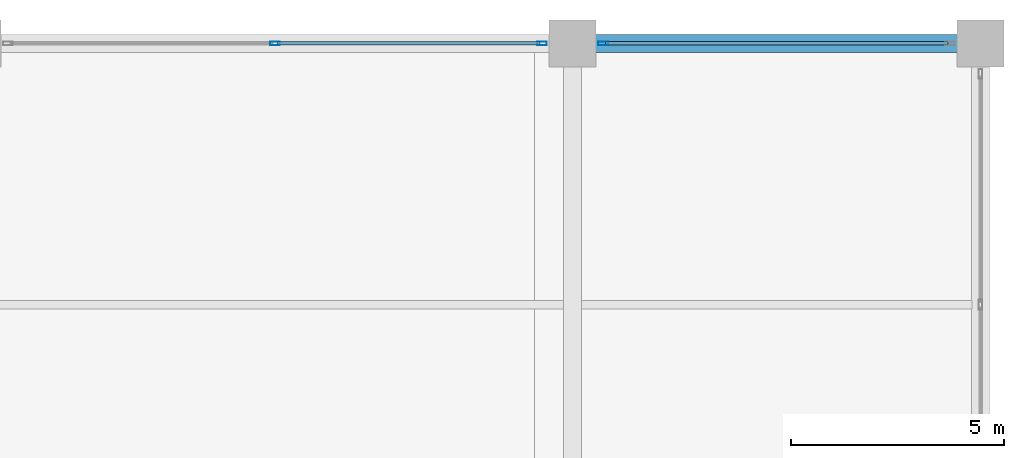
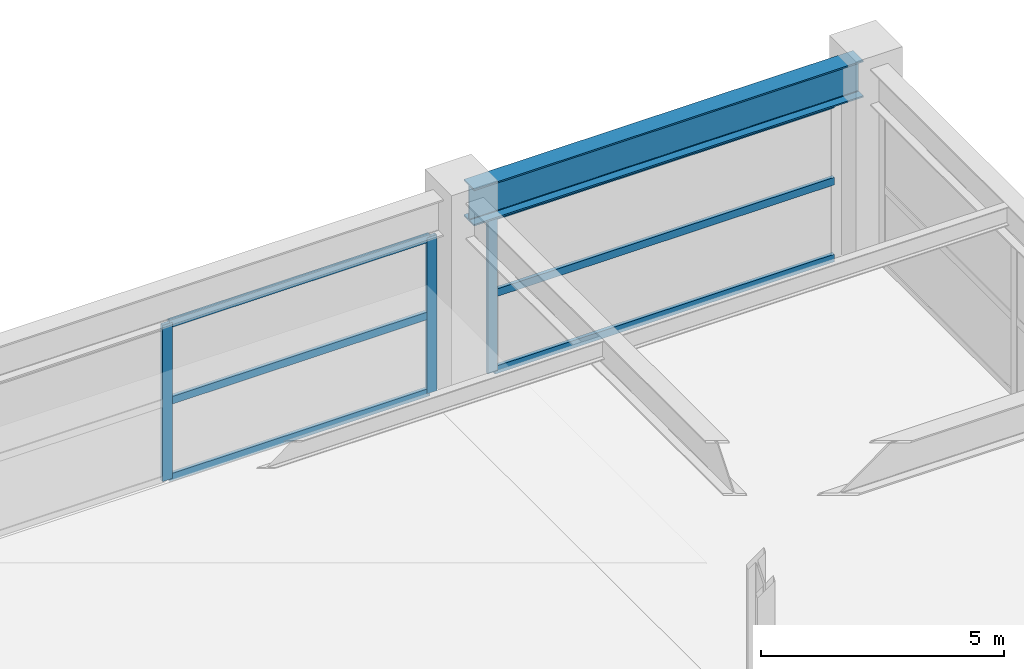
# One storey, part 33 of 45: 9 members, 1 beam, 2 elements without a shape of their own.
"""IFC4 building model written with IfcOpenShell, lengths in metres."""

import ifcopenshell
import ifcopenshell.guid

model = None  # the IFC model being written
_history = None  # IfcOwnerHistory: only IFC2X3 demands one
_inside = {}  # id of a spatial element -> (the spatial element, [elements in it])
_under = {}  # id of a project, library or spatial element -> (it, [spatial elements below it])
_declared = {}  # id of a project -> (the project, [libraries it declares])
_typed = {}  # id of a type object -> (the type object, [elements of that type])
_made_of = {}  # id of a material, layer set ... -> (it, [elements and type objects made of it])


def new_model(schema):
    """Start an empty IFC model of exactly this schema.

    Asked for "IFC4X3", IfcOpenShell would pick the latest addendum, in which some entities
    have other attributes; the version numbers below select the first issue.
    IFC2X3 requires an IfcOwnerHistory on every rooted entity: one is made here for all.
    """
    global model, _history
    if schema == "IFC4X3":
        model = ifcopenshell.file(schema_version=(4, 3, 0, 0))
    else:
        model = ifcopenshell.file(schema=schema)
    _inside.clear()
    _under.clear()
    _declared.clear()
    _typed.clear()
    _made_of.clear()
    _history = None
    if model.schema == "IFC2X3":
        org = make("IfcOrganization", Name="unknown")
        user = make(
            "IfcPersonAndOrganization",
            ThePerson=make("IfcPerson", FamilyName="unknown"),
            TheOrganization=org,
        )
        app = make(
            "IfcApplication",
            ApplicationDeveloper=org,
            Version="unknown",
            ApplicationFullName="unknown",
            ApplicationIdentifier="unknown",
        )
        _history = make(
            "IfcOwnerHistory",
            OwningUser=user,
            OwningApplication=app,
            ChangeAction="ADDED",
            CreationDate=0,
        )
    return model


def make(cls, **values):
    """One entity of the class cls with the attributes given. An attribute that is None is left unset."""
    return model.create_entity(
        cls, **{name: value for name, value in values.items() if value is not None}
    )


def rooted(cls, **values):
    """An entity with a GlobalId (a new one), such as an element, a storey or a relation."""
    return make(cls, GlobalId=ifcopenshell.guid.new(), OwnerHistory=_history, **values)


def si_unit(unit_type, name, prefix=None):
    """IfcSIUnit, for example si_unit("LENGTHUNIT", "METRE", prefix="MILLI")."""
    return make("IfcSIUnit", UnitType=unit_type, Prefix=prefix, Name=name)


def assignment(units):
    """IfcUnitAssignment: the units of a project."""
    return None if units is None else make("IfcUnitAssignment", Units=units)


def point(xyz):
    """IfcCartesianPoint."""
    return None if xyz is None else make("IfcCartesianPoint", Coordinates=xyz)


def direction(xyz):
    """IfcDirection."""
    return None if xyz is None else make("IfcDirection", DirectionRatios=xyz)


def frame(location, z_axis=None, x_axis=None):
    """IfcAxis2Placement3D, a coordinate frame: its origin and axes. An axis left out is left unset."""
    return make(
        "IfcAxis2Placement3D",
        Location=point(location),
        Axis=direction(z_axis),
        RefDirection=direction(x_axis),
    )


def frame_2d(location, x_axis=None):
    """IfcAxis2Placement2D, a coordinate frame in the plane: its origin and x axis."""
    return make(
        "IfcAxis2Placement2D", Location=point(location), RefDirection=direction(x_axis)
    )


def origin():
    """The frame at (0, 0, 0) with its axes left unset."""
    return frame((0.0, 0.0, 0.0))


def origin_2d():
    """The frame at (0, 0) in the plane with its x axis left unset."""
    return frame_2d((0.0, 0.0))


def place(relative_to, where):
    """IfcLocalPlacement: puts the frame where relative to a parent placement (None: the world)."""
    return make(
        "IfcLocalPlacement", PlacementRelTo=relative_to, RelativePlacement=where
    )


def context(
    kind, dimensions, precision=None, world=None, true_north=None, identifier=None
):
    """IfcGeometricRepresentationContext, for example the 3D "Model" context."""
    return make(
        "IfcGeometricRepresentationContext",
        ContextIdentifier=identifier,
        ContextType=kind,
        CoordinateSpaceDimension=dimensions,
        Precision=precision,
        WorldCoordinateSystem=world,
        TrueNorth=true_north,
    )


def subcontext(parent, identifier, kind, view, scale=None):
    """IfcGeometricRepresentationSubContext, for example "Body" below "Model"."""
    return make(
        "IfcGeometricRepresentationSubContext",
        ContextIdentifier=identifier,
        ContextType=kind,
        ParentContext=parent,
        TargetScale=scale,
        TargetView=view,
    )


def project(units=None, contexts=None):
    """IfcProject with its units and contexts."""
    return rooted(
        "IfcProject",
        Name="project",
        RepresentationContexts=contexts,
        UnitsInContext=assignment(units),
    )


def spatial(cls, under=None, at=None, **own):
    """A site, building, storey or space (cls), placed at a placement, below another one or the project."""
    s = rooted(cls, ObjectPlacement=at, **own)
    if under is not None:
        _under.setdefault(under.id(), (under, []))[1].append(s)
    return s


def profile(cls, at=None, kind="AREA", **sizes):
    """A parametric profile (cls). Its sizes go by their IFC names, for example OverallWidth=200.0."""
    return make(cls, ProfileType=kind, Position=at, **sizes)


def hollow_rectangle(**sizes):
    """IfcRectangleHollowProfileDef."""
    return profile("IfcRectangleHollowProfileDef", **sizes)


def i_section(**sizes):
    """IfcIShapeProfileDef."""
    return profile("IfcIShapeProfileDef", **sizes)


def extrude(swept, where, along, depth):
    """IfcExtrudedAreaSolid: the profile swept, set in the frame where, extruded along a direction by depth."""
    return make(
        "IfcExtrudedAreaSolid",
        SweptArea=swept,
        Position=where,
        ExtrudedDirection=direction(along),
        Depth=depth,
    )


def shape(context_of_items, identifier, shape_type, items):
    """IfcShapeRepresentation: the items that make up one representation, for example the "Body"."""
    return make(
        "IfcShapeRepresentation",
        ContextOfItems=context_of_items,
        RepresentationIdentifier=identifier,
        RepresentationType=shape_type,
        Items=items,
    )


def material(Name=None, Category=None):
    """IfcMaterial."""
    return make("IfcMaterial", Name=Name, Category=Category)


def material_profile(
    of_material, cross_section, Name=None, Category=None, Priority=None
):
    """IfcMaterialProfile: a cross section and its material."""
    return make(
        "IfcMaterialProfile",
        Name=Name,
        Material=of_material,
        Profile=cross_section,
        Priority=Priority,
        Category=Category,
    )


def profile_set(profiles, Name=None, composite=None):
    """IfcMaterialProfileSet."""
    return make(
        "IfcMaterialProfileSet",
        Name=Name,
        MaterialProfiles=profiles,
        CompositeProfile=composite,
    )


def made_of(thing, what):
    """Note that an element or type object is made of a material, layer set ...; save() writes the relation."""
    if what is not None:
        _made_of.setdefault(what.id(), (what, []))[1].append(thing)
    return thing


def type_object(cls, material=None, **own):
    """A type object (cls), such as IfcWallType, which elements share."""
    return made_of(rooted(cls, **own), material)


def element(
    cls,
    number,
    at=None,
    inside=None,
    cuts=None,
    type_object=None,
    material=None,
    context=None,
    identifier="Body",
    shape_type=None,
    held_by="IfcProductDefinitionShape",
    body=None,
    shapes=None,
    **own,
):
    """One element of the class cls, such as IfcWall. Its Tag is "e" and its number.

    at: its placement. inside: the storey or other place that contains it. cuts: it is an
    opening in that element (IfcRelVoidsElement). A single representation is given by context,
    identifier, shape_type and body (its items); several are given by shapes. held_by: the class
    of the entity that holds the representations. save() writes the other relations.
    """
    e = rooted(cls, Tag="e%d" % number, ObjectPlacement=at, **own)
    if body is not None:
        shapes = [shape(context, identifier, shape_type, body)]
    if shapes is not None:
        e.Representation = make(held_by, Representations=shapes)
    if inside is not None:
        _inside.setdefault(inside.id(), (inside, []))[1].append(e)
    if cuts is not None:
        rooted(
            "IfcRelVoidsElement", RelatingBuildingElement=cuts, RelatedOpeningElement=e
        )
    if type_object is not None:
        _typed.setdefault(type_object.id(), (type_object, []))[1].append(e)
    return made_of(e, material)


def aggregate(whole, parts):
    """IfcRelAggregates: a whole, such as a stair, and the parts it consists of."""
    return rooted("IfcRelAggregates", RelatingObject=whole, RelatedObjects=parts)


def save(model, path):
    """Write the relations noted so far, then the file.

    IfcRelAggregates (storeys below a building ...), IfcRelContainedInSpatialStructure (elements
    in a storey), IfcRelDefinesByType, IfcRelAssociatesMaterial and IfcRelDeclares: one each for
    every whole, place, type object, material and project.
    """
    for whole, parts in _under.values():
        aggregate(whole, parts)
    for where, things in _inside.values():
        rooted(
            "IfcRelContainedInSpatialStructure",
            RelatedElements=things,
            RelatingStructure=where,
        )
    for kind, things in _typed.values():
        rooted("IfcRelDefinesByType", RelatedObjects=things, RelatingType=kind)
    for what, things in _made_of.values():
        rooted("IfcRelAssociatesMaterial", RelatedObjects=things, RelatingMaterial=what)
    for by, libraries in _declared.values():
        rooted("IfcRelDeclares", RelatingContext=by, RelatedDefinitions=libraries)
    model.write(path)


model = new_model("IFC4")

# Units and contexts
model_context = context("Model", 3, precision=1e-05, world=origin(), true_north=direction((0.0, 1.0)))
body_context = subcontext(model_context, "Body", "Model", "MODEL_VIEW")
ifc_project = project(units=[si_unit("LENGTHUNIT", "METRE"), si_unit("AREAUNIT", "SQUARE_METRE"), si_unit("VOLUMEUNIT", "CUBIC_METRE"), si_unit("PLANEANGLEUNIT", "RADIAN"), si_unit("MASSUNIT", "GRAM", prefix="KILO")], contexts=[model_context])

# Site, building, storey
site_placement = place(None, origin())
site = spatial("IfcSite", under=ifc_project, at=site_placement, CompositionType="ELEMENT")
building_placement = place(site_placement, origin())
building = spatial("IfcBuilding", under=site, at=building_placement, Name="Kovane Verandah Tower", CompositionType="ELEMENT")
storey_placement = place(building_placement, frame((0.0, 0.0, 6.0)))
storey = spatial("IfcBuildingStorey", under=building, at=storey_placement, Name="L01", CompositionType="ELEMENT", Elevation=6.0)

# Beam
ifc_material_1 = material(Name="Steel S460", Category="steel")
ifc_material_profile_1 = material_profile(ifc_material_1, i_section(OverallWidth=0.42041015625, OverallDepth=0.9208984375, WebThickness=0.021484375, FlangeThickness=0.03662109375, FilletRadius=0.024169921875, at=origin_2d()), Name="UB914x419x388")
ifc_profile_set_1 = profile_set([ifc_material_profile_1], Name="Steel S460")
beam_type = type_object("IfcBeamType", Name="BM-UB914x388", PredefinedType="BEAM", material=ifc_profile_set_1)
beam_placement = place(storey_placement, frame((72.580078125, 56.5, 4.439453125), z_axis=(1.0, 0.0, 0.0), x_axis=(0.0, 1.0, 0.0)))
element("IfcBeam", 1, at=beam_placement, inside=storey, type_object=beam_type, Name="L01 Podium Grid Girder X23", PredefinedType="BEAM", context=body_context, shape_type="SweptSolid", body=[
    extrude(i_section(OverallWidth=0.42041015625, OverallDepth=0.9208984375, WebThickness=0.021484375, FlangeThickness=0.03662109375, FilletRadius=0.024169921875, at=origin_2d()), origin(), (0.0, 0.0, 1.0), 9.239990234375),
])

# Curtain wall, members
ifc_material_2 = material(Name="Champagne Anodised Aluminium Frame with Low-E Clear Laminated Glass", Category="aluminium")
curtain_wall_type = type_object("IfcCurtainWallType", Name="CW-SYS-01-POD", PredefinedType="NOTDEFINED", material=ifc_material_2)
curtain_wall_1_placement = place(storey_placement, origin())
curtain_wall_1 = element("IfcCurtainWall", 2, at=curtain_wall_1_placement, inside=storey, type_object=curtain_wall_type, Name="L01 North Podium Curtain Wall Bay 6", PredefinedType="NOTDEFINED")
ifc_material_3 = material(Name="Champagne Anodised Aluminium 6063-T6", Category="aluminium")
ifc_material_profile_2 = material_profile(ifc_material_3, hollow_rectangle(XDim=0.0849609375, YDim=0.22998046875, WallThickness=0.00390625, at=origin_2d()), Name="AL85x230x4")
ifc_profile_set_2 = profile_set([ifc_material_profile_2], Name="Champagne Anodised Aluminium 6063-T6")
member_type_1 = type_object("IfcMemberType", Name="CW-MUL-85x230", PredefinedType="MULLION", material=ifc_profile_set_2)
member_1_placement = place(storey_placement, frame((71.679931640625, 56.5, 0.02001953125), z_axis=(0.0, 0.0, 1.0), x_axis=(0.0, 1.0, 0.0)))
member_1 = element("IfcMember", 3, at=member_1_placement, type_object=member_type_1, Name="L01 North Podium Curtain Wall Bay 6 Mullion 1", PredefinedType="MULLION", context=body_context, shape_type="SweptSolid", body=[
    extrude(hollow_rectangle(XDim=0.0849609375, YDim=0.22998046875, WallThickness=0.00390625, at=origin_2d()), origin(), (0.0, 0.0, 1.0), 3.9189453125),
])
member_2_placement = place(storey_placement, frame((65.39990234375, 56.5, 0.02001953125), z_axis=(0.0, 0.0, 1.0), x_axis=(0.0, 1.0, 0.0)))
member_2 = element("IfcMember", 4, at=member_2_placement, type_object=member_type_1, Name="L01 North Podium Curtain Wall Bay 6 Mullion 2", PredefinedType="MULLION", context=body_context, shape_type="SweptSolid", body=[
    extrude(hollow_rectangle(XDim=0.0849609375, YDim=0.22998046875, WallThickness=0.00390625, at=origin_2d()), origin(), (0.0, 0.0, 1.0), 3.9189453125),
])

# Curtain wall, member
curtain_wall_2_placement = place(storey_placement, origin())
curtain_wall_2 = element("IfcCurtainWall", 5, at=curtain_wall_2_placement, inside=storey, type_object=curtain_wall_type, Name="L01 North Podium Curtain Wall Bay 7", PredefinedType="NOTDEFINED")
member_3_placement = place(storey_placement, frame((73.1201171875, 56.5, 0.02001953125), z_axis=(0.0, 0.0, 1.0), x_axis=(0.0, 1.0, 0.0)))
member_3 = element("IfcMember", 6, at=member_3_placement, type_object=member_type_1, Name="L01 North Podium Curtain Wall Bay 7 Mullion 2", PredefinedType="MULLION", context=body_context, shape_type="SweptSolid", body=[
    extrude(hollow_rectangle(XDim=0.0849609375, YDim=0.22998046875, WallThickness=0.00390625, at=origin_2d()), origin(), (0.0, 0.0, 1.0), 3.9189453125),
])

# Member
ifc_material_profile_3 = material_profile(ifc_material_3, hollow_rectangle(XDim=0.0849609375, YDim=0.18994140625, WallThickness=0.00390625, at=origin_2d()), Name="AL85x190x4")
ifc_profile_set_3 = profile_set([ifc_material_profile_3], Name="Champagne Anodised Aluminium 6063-T6")
member_type_2 = type_object("IfcMemberType", Name="CW-TRN-85x190", PredefinedType="USERDEFINED", material=ifc_profile_set_3)
member_4_placement = place(storey_placement, frame((71.6298828125, 56.5, 0.050048828125), z_axis=(-1.0, 0.0, 0.0), x_axis=(0.0, -1.0, 0.0)))
member_4 = element("IfcMember", 7, at=member_4_placement, type_object=member_type_2, Name="L01 North Podium Curtain Wall Bay 6 Transom TB Bay 1", ObjectType="TRANSOM", PredefinedType="USERDEFINED", context=body_context, shape_type="SweptSolid", body=[
    extrude(hollow_rectangle(XDim=0.0849609375, YDim=0.18994140625, WallThickness=0.00390625, at=origin_2d()), origin(), (0.0, 0.0, 1.0), 6.179931640625),
])

member_5_placement = place(storey_placement, frame((71.6298828125, 56.5, 1.9794921875), z_axis=(-1.0, 0.0, 0.0), x_axis=(0.0, -1.0, 0.0)))
member_5 = element("IfcMember", 8, at=member_5_placement, type_object=member_type_2, Name="L01 North Podium Curtain Wall Bay 6 Transom TM Bay 1", ObjectType="TRANSOM", PredefinedType="USERDEFINED", context=body_context, shape_type="SweptSolid", body=[
    extrude(hollow_rectangle(XDim=0.0849609375, YDim=0.18994140625, WallThickness=0.00390625, at=origin_2d()), origin(), (0.0, 0.0, 1.0), 6.179931640625),
])

member_6_placement = place(storey_placement, frame((71.6298828125, 56.5, 3.908935546875), z_axis=(-1.0, 0.0, 0.0), x_axis=(0.0, -1.0, 0.0)))
member_6 = element("IfcMember", 9, at=member_6_placement, type_object=member_type_2, Name="L01 North Podium Curtain Wall Bay 6 Transom TT Bay 1", ObjectType="TRANSOM", PredefinedType="USERDEFINED", context=body_context, shape_type="SweptSolid", body=[
    extrude(hollow_rectangle(XDim=0.0849609375, YDim=0.18994140625, WallThickness=0.00390625, at=origin_2d()), origin(), (0.0, 0.0, 1.0), 6.179931640625),
])

aggregate(curtain_wall_1, [member_1, member_2, member_4, member_5, member_6])

member_7_placement = place(storey_placement, frame((81.22998046875, 56.5, 0.050048828125), z_axis=(-1.0, 0.0, 0.0), x_axis=(0.0, -1.0, 0.0)))
member_7 = element("IfcMember", 10, at=member_7_placement, type_object=member_type_2, Name="L01 North Podium Curtain Wall Bay 7 Transom TB Bay 1", ObjectType="TRANSOM", PredefinedType="USERDEFINED", context=body_context, shape_type="SweptSolid", body=[
    extrude(hollow_rectangle(XDim=0.0849609375, YDim=0.18994140625, WallThickness=0.00390625, at=origin_2d()), origin(), (0.0, 0.0, 1.0), 8.06005859375),
])

member_8_placement = place(storey_placement, frame((81.22998046875, 56.5, 1.9794921875), z_axis=(-1.0, 0.0, 0.0), x_axis=(0.0, -1.0, 0.0)))
member_8 = element("IfcMember", 11, at=member_8_placement, type_object=member_type_2, Name="L01 North Podium Curtain Wall Bay 7 Transom TM Bay 1", ObjectType="TRANSOM", PredefinedType="USERDEFINED", context=body_context, shape_type="SweptSolid", body=[
    extrude(hollow_rectangle(XDim=0.0849609375, YDim=0.18994140625, WallThickness=0.00390625, at=origin_2d()), origin(), (0.0, 0.0, 1.0), 8.06005859375),
])

member_9_placement = place(storey_placement, frame((81.22998046875, 56.5, 3.908935546875), z_axis=(-1.0, 0.0, 0.0), x_axis=(0.0, -1.0, 0.0)))
member_9 = element("IfcMember", 12, at=member_9_placement, type_object=member_type_2, Name="L01 North Podium Curtain Wall Bay 7 Transom TT Bay 1", ObjectType="TRANSOM", PredefinedType="USERDEFINED", context=body_context, shape_type="SweptSolid", body=[
    extrude(hollow_rectangle(XDim=0.0849609375, YDim=0.18994140625, WallThickness=0.00390625, at=origin_2d()), origin(), (0.0, 0.0, 1.0), 8.06005859375),
])

aggregate(curtain_wall_2, [member_3, member_7, member_8, member_9])

save(model, "model.ifc")
